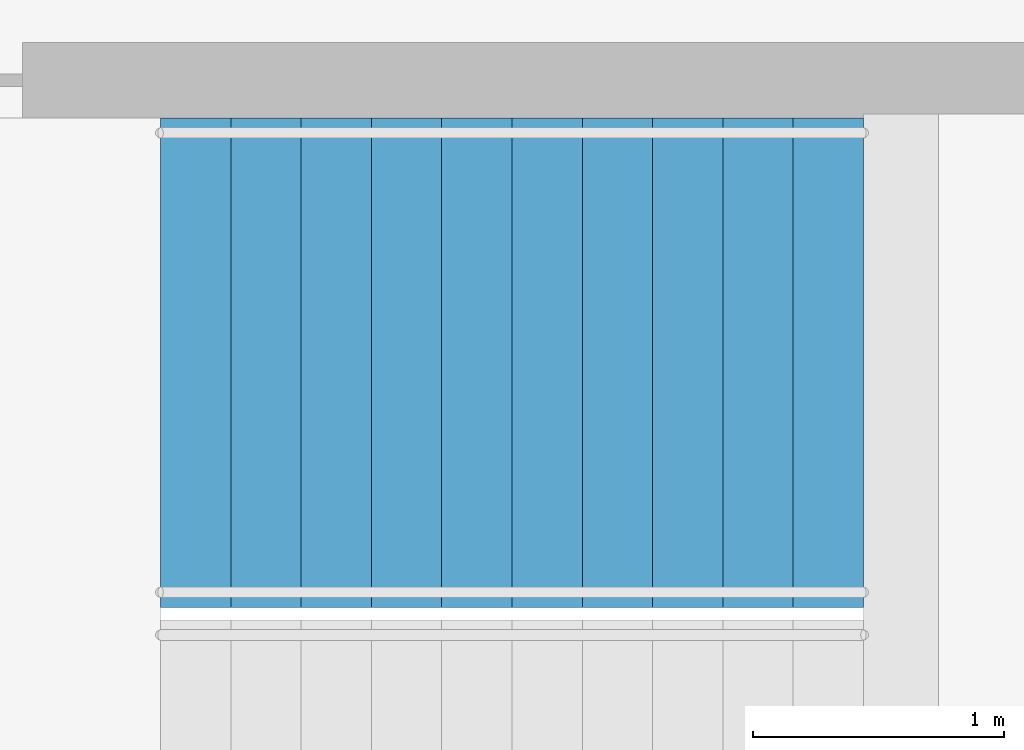
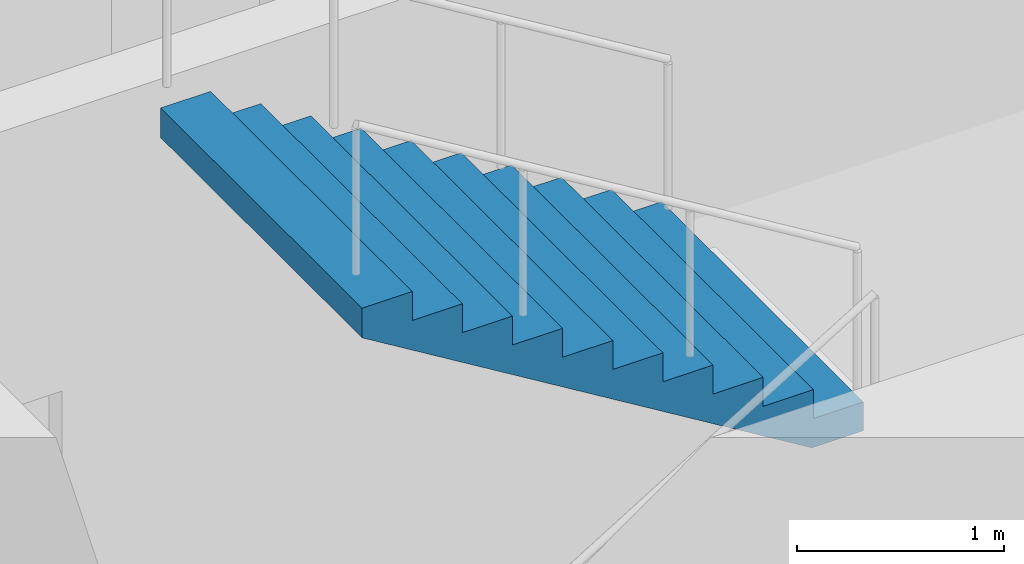
# One storey, part 20 of 23: 1 stair flight, 1 element without a shape of its own.
"""IFC4 building model written with IfcOpenShell, lengths in metres."""

from ifc_helpers import new_model, si_unit, direction, frame, origin, place, context, subcontext, project, spatial, triangles, material, type_object, element, aggregate, save


model = new_model("IFC4")

# Units and contexts
model_context = context("Model", 3, precision=1e-05, world=origin(), true_north=direction((0.0, 1.0)))
body_context = subcontext(model_context, "Body", "Model", "MODEL_VIEW")
ifc_project = project(units=[si_unit("LENGTHUNIT", "METRE"), si_unit("AREAUNIT", "SQUARE_METRE"), si_unit("VOLUMEUNIT", "CUBIC_METRE"), si_unit("PLANEANGLEUNIT", "RADIAN"), si_unit("MASSUNIT", "GRAM", prefix="KILO")], contexts=[model_context])

# Site, building, storey
site_placement = place(None, origin())
site = spatial("IfcSite", under=ifc_project, at=site_placement, CompositionType="ELEMENT")
building_placement = place(site_placement, origin())
building = spatial("IfcBuilding", under=site, at=building_placement, Name="Orbita Commons", CompositionType="ELEMENT")
storey_placement = place(building_placement, frame((0.0, 0.0, 50.199951171875)))
storey = spatial("IfcBuildingStorey", under=building, at=storey_placement, Name="L12", CompositionType="ELEMENT", Elevation=50.199951171875)

# Stair, stair flight
ifc_material_1 = material(Name="Precast concrete C40/50", Category="concrete")
stair_type = type_object("IfcStairType", Name="Exit stair S1 2 flights 11 risers 170", PredefinedType="HALF_TURN_STAIR", material=ifc_material_1)
stair_placement = place(storey_placement, origin())
stair = element("IfcStair", 1, at=stair_placement, inside=storey, type_object=stair_type, Name="Exit stair S1 L12", PredefinedType="HALF_TURN_STAIR")
ifc_material_2 = material(Name="Precast concrete C40/50", Category="concrete")
stair_flight_type = type_object("IfcStairFlightType", Name="Stair flight 11 risers 170 x 280", PredefinedType="STRAIGHT", material=ifc_material_2)
stair_flight_placement = place(storey_placement, frame((23.25, 29.27490234375, 1.875), z_axis=(0.0, 0.0, 1.0), x_axis=(-1.0, 0.0, 0.0)))
stair_flight = element("IfcStairFlight", 2, at=stair_flight_placement, type_object=stair_flight_type, Name="S1 flight 2", NumberOfRisers=11, NumberOfTreads=10, PredefinedType="STRAIGHT", RiserHeight=0.170454545, TreadLength=0.28, context=body_context, shape_type="Tessellation", body=[
    triangles([(0.0, 0.974976, 0.0), (0.0, 0.974976, 0.021307), (0.0, 0.81248, 0.021307), (0.0, 0.81248, 0.0), (0.0, 0.649984, 0.021307), (0.0, 0.649984, 0.0), (0.0, 0.487488, 0.021307), (0.0, 0.487488, 0.0), (0.0, 0.324992, 0.021307), (0.0, 0.324992, 0.0), (0.0, 0.162496, 0.021307), (0.0, 0.162496, 0.0), (0.0, 0.0, 0.021307), (0.0, 0.0, 0.0), (0.0, -0.162496, 0.021307), (0.0, -0.162496, 0.0), (0.0, -0.324992, 0.021307), (0.0, -0.324992, 0.0), (0.0, -0.487488, 0.021307), (0.0, -0.487488, 0.0), (0.0, -0.649984, 0.021307), (0.0, -0.649984, 0.0), (0.0, -0.81248, 0.021307), (0.0, -0.81248, 0.0), (0.0, -0.974976, 0.021307), (0.0, -0.974976, 0.0), (0.0, 0.974976, 0.042614), (0.0, 0.81248, 0.042614), (0.0, 0.649984, 0.042614), (0.0, 0.487488, 0.042614), (0.0, 0.324992, 0.042614), (0.0, 0.162496, 0.042614), (0.0, 0.0, 0.042614), (0.0, -0.162496, 0.042614), (0.0, -0.324992, 0.042614), (0.0, -0.487488, 0.042614), (0.0, -0.649984, 0.042614), (0.0, -0.81248, 0.042614), (0.0, -0.974976, 0.042614), (0.0, 0.974976, 0.06392), (0.0, 0.81248, 0.06392), (0.0, 0.649984, 0.06392), (0.0, 0.487488, 0.06392), (0.0, 0.324992, 0.06392), (0.0, 0.162496, 0.06392), (0.0, 0.0, 0.06392), (0.0, -0.162496, 0.06392), (0.0, -0.324992, 0.06392), (0.0, -0.487488, 0.06392), (0.0, -0.649984, 0.06392), (0.0, -0.81248, 0.06392), (0.0, -0.974976, 0.06392), (0.0, 0.974976, 0.085227), (0.0, 0.81248, 0.085227), (0.0, 0.649984, 0.085227), (0.0, 0.487488, 0.085227), (0.0, 0.324992, 0.085227), (0.0, 0.162496, 0.085227), (0.0, 0.0, 0.085227), (0.0, -0.162496, 0.085227), (0.0, -0.324992, 0.085227), (0.0, -0.487488, 0.085227), (0.0, -0.649984, 0.085227), (0.0, -0.81248, 0.085227), (0.0, -0.974976, 0.085227), (0.0, 0.974976, 0.106534), (0.0, 0.81248, 0.106534), (0.0, 0.649984, 0.106534), (0.0, 0.487488, 0.106534), (0.0, 0.324992, 0.106534), (0.0, 0.162496, 0.106534), (0.0, 0.0, 0.106534), (0.0, -0.162496, 0.106534), (0.0, -0.324992, 0.106534), (0.0, -0.487488, 0.106534), (0.0, -0.649984, 0.106534), (0.0, -0.81248, 0.106534), (0.0, -0.974976, 0.106534), (0.0, 0.974976, 0.127841), (0.0, 0.81248, 0.127841), (0.0, 0.649984, 0.127841), (0.0, 0.487488, 0.127841), (0.0, 0.324992, 0.127841), (0.0, 0.162496, 0.127841), (0.0, 0.0, 0.127841), (0.0, -0.162496, 0.127841), (0.0, -0.324992, 0.127841), (0.0, -0.487488, 0.127841), (0.0, -0.649984, 0.127841), (0.0, -0.81248, 0.127841), (0.0, -0.974976, 0.127841), (0.0, 0.974976, 0.149148), (0.0, 0.81248, 0.149148), (0.0, 0.649984, 0.149148), (0.0, 0.487488, 0.149148), (0.0, 0.324992, 0.149148), (0.0, 0.162496, 0.149148), (0.0, 0.0, 0.149148), (0.0, -0.162496, 0.149148), (0.0, -0.324992, 0.149148), (0.0, -0.487488, 0.149148), (0.0, -0.649984, 0.149148), (0.0, -0.81248, 0.149148), (0.0, -0.974976, 0.149148), (0.0, 0.974976, 0.170455), (0.0, 0.81248, 0.170455), (0.0, 0.649984, 0.170455), (0.0, 0.487488, 0.170455), (0.0, 0.324992, 0.170455), (0.0, 0.162496, 0.170455), (0.0, 0.0, 0.170455), (0.0, -0.162496, 0.170455), (0.0, -0.324992, 0.170455), (0.0, -0.487488, 0.170455), (0.0, -0.649984, 0.170455), (0.0, -0.81248, 0.170455), (0.0, -0.974976, 0.170455), (0.28, 0.974976, 0.170455), (0.28, 0.81248, 0.170455), (0.28, 0.649984, 0.170455), (0.28, 0.487488, 0.170455), (0.28, 0.324992, 0.170455), (0.28, 0.162496, 0.170455), (0.28, 0.0, 0.170455), (0.28, -0.162496, 0.170455), (0.28, -0.324992, 0.170455), (0.28, -0.487488, 0.170455), (0.28, -0.649984, 0.170455), (0.28, -0.81248, 0.170455), (0.28, -0.974976, 0.170455), (0.28, 0.974976, 0.340909), (0.28, 0.81248, 0.340909), (0.28, 0.649984, 0.340909), (0.28, 0.487488, 0.340909), (0.28, 0.324992, 0.340909), (0.28, 0.162496, 0.340909), (0.28, 0.0, 0.340909), (0.28, -0.162496, 0.340909), (0.28, -0.324992, 0.340909), (0.28, -0.487488, 0.340909), (0.28, -0.649984, 0.340909), (0.28, -0.81248, 0.340909), (0.28, -0.974976, 0.340909), (0.56, 0.974976, 0.340909), (0.56, 0.81248, 0.340909), (0.56, 0.649984, 0.340909), (0.56, 0.487488, 0.340909), (0.56, 0.324992, 0.340909), (0.56, 0.162496, 0.340909), (0.56, 0.0, 0.340909), (0.56, -0.162496, 0.340909), (0.56, -0.324992, 0.340909), (0.56, -0.487488, 0.340909), (0.56, -0.649984, 0.340909), (0.56, -0.81248, 0.340909), (0.56, -0.974976, 0.340909), (0.56, 0.974976, 0.511364), (0.56, 0.81248, 0.511364), (0.56, 0.649984, 0.511364), (0.56, 0.487488, 0.511364), (0.56, 0.324992, 0.511364), (0.56, 0.162496, 0.511364), (0.56, 0.0, 0.511364), (0.56, -0.162496, 0.511364), (0.56, -0.324992, 0.511364), (0.56, -0.487488, 0.511364), (0.56, -0.649984, 0.511364), (0.56, -0.81248, 0.511364), (0.56, -0.974976, 0.511364), (0.84, 0.974976, 0.511364), (0.84, 0.81248, 0.511364), (0.84, 0.649984, 0.511364), (0.84, 0.487488, 0.511364), (0.84, 0.324992, 0.511364), (0.84, 0.162496, 0.511364), (0.84, 0.0, 0.511364), (0.84, -0.162496, 0.511364), (0.84, -0.324992, 0.511364), (0.84, -0.487488, 0.511364), (0.84, -0.649984, 0.511364), (0.84, -0.81248, 0.511364), (0.84, -0.974976, 0.511364), (0.84, 0.974976, 0.681818), (0.84, 0.81248, 0.681818), (0.84, 0.649984, 0.681818), (0.84, 0.487488, 0.681818), (0.84, 0.324992, 0.681818), (0.84, 0.162496, 0.681818), (0.84, 0.0, 0.681818), (0.84, -0.162496, 0.681818), (0.84, -0.324992, 0.681818), (0.84, -0.487488, 0.681818), (0.84, -0.649984, 0.681818), (0.84, -0.81248, 0.681818), (0.84, -0.974976, 0.681818), (1.12, 0.974976, 0.681818), (1.12, 0.81248, 0.681818), (1.12, 0.649984, 0.681818), (1.12, 0.487488, 0.681818), (1.12, 0.324992, 0.681818), (1.12, 0.162496, 0.681818), (1.12, 0.0, 0.681818), (1.12, -0.162496, 0.681818), (1.12, -0.324992, 0.681818), (1.12, -0.487488, 0.681818), (1.12, -0.649984, 0.681818), (1.12, -0.81248, 0.681818), (1.12, -0.974976, 0.681818), (1.12, 0.974976, 0.852273), (1.12, 0.81248, 0.852273), (1.12, 0.649984, 0.852273), (1.12, 0.487488, 0.852273), (1.12, 0.324992, 0.852273), (1.12, 0.162496, 0.852273), (1.12, 0.0, 0.852273), (1.12, -0.162496, 0.852273), (1.12, -0.324992, 0.852273), (1.12, -0.487488, 0.852273), (1.12, -0.649984, 0.852273), (1.12, -0.81248, 0.852273), (1.12, -0.974976, 0.852273), (1.4, 0.974976, 0.852273), (1.4, 0.81248, 0.852273), (1.4, 0.649984, 0.852273), (1.4, 0.487488, 0.852273), (1.4, 0.324992, 0.852273), (1.4, 0.162496, 0.852273), (1.4, 0.0, 0.852273), (1.4, -0.162496, 0.852273), (1.4, -0.324992, 0.852273), (1.4, -0.487488, 0.852273), (1.4, -0.649984, 0.852273), (1.4, -0.81248, 0.852273), (1.4, -0.974976, 0.852273), (1.4, 0.974976, 1.022727), (1.4, 0.81248, 1.022727), (1.4, 0.649984, 1.022727), (1.4, 0.487488, 1.022727), (1.4, 0.324992, 1.022727), (1.4, 0.162496, 1.022727), (1.4, 0.0, 1.022727), (1.4, -0.162496, 1.022727), (1.4, -0.324992, 1.022727), (1.4, -0.487488, 1.022727), (1.4, -0.649984, 1.022727), (1.4, -0.81248, 1.022727), (1.4, -0.974976, 1.022727), (1.68, 0.974976, 1.022727), (1.68, 0.81248, 1.022727), (1.68, 0.649984, 1.022727), (1.68, 0.487488, 1.022727), (1.68, 0.324992, 1.022727), (1.68, 0.162496, 1.022727), (1.68, 0.0, 1.022727), (1.68, -0.162496, 1.022727), (1.68, -0.324992, 1.022727), (1.68, -0.487488, 1.022727), (1.68, -0.649984, 1.022727), (1.68, -0.81248, 1.022727), (1.68, -0.974976, 1.022727), (1.68, 0.974976, 1.193182), (1.68, 0.81248, 1.193182), (1.68, 0.649984, 1.193182), (1.68, 0.487488, 1.193182), (1.68, 0.324992, 1.193182), (1.68, 0.162496, 1.193182), (1.68, 0.0, 1.193182), (1.68, -0.162496, 1.193182), (1.68, -0.324992, 1.193182), (1.68, -0.487488, 1.193182), (1.68, -0.649984, 1.193182), (1.68, -0.81248, 1.193182), (1.68, -0.974976, 1.193182), (1.96, 0.974976, 1.193182), (1.96, 0.81248, 1.193182), (1.96, 0.649984, 1.193182), (1.96, 0.487488, 1.193182), (1.96, 0.324992, 1.193182), (1.96, 0.162496, 1.193182), (1.96, 0.0, 1.193182), (1.96, -0.162496, 1.193182), (1.96, -0.324992, 1.193182), (1.96, -0.487488, 1.193182), (1.96, -0.649984, 1.193182), (1.96, -0.81248, 1.193182), (1.96, -0.974976, 1.193182), (1.96, 0.974976, 1.363636), (1.96, 0.81248, 1.363636), (1.96, 0.649984, 1.363636), (1.96, 0.487488, 1.363636), (1.96, 0.324992, 1.363636), (1.96, 0.162496, 1.363636), (1.96, 0.0, 1.363636), (1.96, -0.162496, 1.363636), (1.96, -0.324992, 1.363636), (1.96, -0.487488, 1.363636), (1.96, -0.649984, 1.363636), (1.96, -0.81248, 1.363636), (1.96, -0.974976, 1.363636), (2.24, 0.974976, 1.363636), (2.24, 0.81248, 1.363636), (2.24, 0.649984, 1.363636), (2.24, 0.487488, 1.363636), (2.24, 0.324992, 1.363636), (2.24, 0.162496, 1.363636), (2.24, 0.0, 1.363636), (2.24, -0.162496, 1.363636), (2.24, -0.324992, 1.363636), (2.24, -0.487488, 1.363636), (2.24, -0.649984, 1.363636), (2.24, -0.81248, 1.363636), (2.24, -0.974976, 1.363636), (2.24, 0.974976, 1.534091), (2.24, 0.81248, 1.534091), (2.24, 0.649984, 1.534091), (2.24, 0.487488, 1.534091), (2.24, 0.324992, 1.534091), (2.24, 0.162496, 1.534091), (2.24, 0.0, 1.534091), (2.24, -0.162496, 1.534091), (2.24, -0.324992, 1.534091), (2.24, -0.487488, 1.534091), (2.24, -0.649984, 1.534091), (2.24, -0.81248, 1.534091), (2.24, -0.974976, 1.534091), (2.52, 0.974976, 1.534091), (2.52, 0.81248, 1.534091), (2.52, 0.649984, 1.534091), (2.52, 0.487488, 1.534091), (2.52, 0.324992, 1.534091), (2.52, 0.162496, 1.534091), (2.52, 0.0, 1.534091), (2.52, -0.162496, 1.534091), (2.52, -0.324992, 1.534091), (2.52, -0.487488, 1.534091), (2.52, -0.649984, 1.534091), (2.52, -0.81248, 1.534091), (2.52, -0.974976, 1.534091), (2.52, 0.974976, 1.704545), (2.52, 0.81248, 1.704545), (2.52, 0.649984, 1.704545), (2.52, 0.487488, 1.704545), (2.52, 0.324992, 1.704545), (2.52, 0.162496, 1.704545), (2.52, 0.0, 1.704545), (2.52, -0.162496, 1.704545), (2.52, -0.324992, 1.704545), (2.52, -0.487488, 1.704545), (2.52, -0.649984, 1.704545), (2.52, -0.81248, 1.704545), (2.52, -0.974976, 1.704545), (2.8, 0.974976, 1.704545), (2.8, 0.81248, 1.704545), (2.8, 0.649984, 1.704545), (2.8, 0.487488, 1.704545), (2.8, 0.324992, 1.704545), (2.8, 0.162496, 1.704545), (2.8, 0.0, 1.704545), (2.8, -0.162496, 1.704545), (2.8, -0.324992, 1.704545), (2.8, -0.487488, 1.704545), (2.8, -0.649984, 1.704545), (2.8, -0.81248, 1.704545), (2.8, -0.974976, 1.704545), (2.8, 0.974976, 1.682609), (2.8, 0.81248, 1.682609), (2.8, 0.649984, 1.682609), (2.8, 0.487488, 1.682609), (2.8, 0.324992, 1.682609), (2.8, 0.162496, 1.682609), (2.8, 0.0, 1.682609), (2.8, -0.162496, 1.682609), (2.8, -0.324992, 1.682609), (2.8, -0.487488, 1.682609), (2.8, -0.649984, 1.682609), (2.8, -0.81248, 1.682609), (2.8, -0.974976, 1.682609), (2.8, 0.974976, 1.660672), (2.8, 0.81248, 1.660672), (2.8, 0.649984, 1.660672), (2.8, 0.487488, 1.660672), (2.8, 0.324992, 1.660672), (2.8, 0.162496, 1.660672), (2.8, 0.0, 1.660672), (2.8, -0.162496, 1.660672), (2.8, -0.324992, 1.660672), (2.8, -0.487488, 1.660672), (2.8, -0.649984, 1.660672), (2.8, -0.81248, 1.660672), (2.8, -0.974976, 1.660672), (2.8, 0.974976, 1.638735), (2.8, 0.81248, 1.638735), (2.8, 0.649984, 1.638735), (2.8, 0.487488, 1.638735), (2.8, 0.324992, 1.638735), (2.8, 0.162496, 1.638735), (2.8, 0.0, 1.638735), (2.8, -0.162496, 1.638735), (2.8, -0.324992, 1.638735), (2.8, -0.487488, 1.638735), (2.8, -0.649984, 1.638735), (2.8, -0.81248, 1.638735), (2.8, -0.974976, 1.638735), (2.8, 0.974976, 1.616798), (2.8, 0.81248, 1.616798), (2.8, 0.649984, 1.616798), (2.8, 0.487488, 1.616798), (2.8, 0.324992, 1.616798), (2.8, 0.162496, 1.616798), (2.8, 0.0, 1.616798), (2.8, -0.162496, 1.616798), (2.8, -0.324992, 1.616798), (2.8, -0.487488, 1.616798), (2.8, -0.649984, 1.616798), (2.8, -0.81248, 1.616798), (2.8, -0.974976, 1.616798), (2.8, 0.974976, 1.594861), (2.8, 0.81248, 1.594861), (2.8, 0.649984, 1.594861), (2.8, 0.487488, 1.594861), (2.8, 0.324992, 1.594861), (2.8, 0.162496, 1.594861), (2.8, 0.0, 1.594861), (2.8, -0.162496, 1.594861), (2.8, -0.324992, 1.594861), (2.8, -0.487488, 1.594861), (2.8, -0.649984, 1.594861), (2.8, -0.81248, 1.594861), (2.8, -0.974976, 1.594861), (2.8, 0.974976, 1.572925), (2.8, 0.81248, 1.572925), (2.8, 0.649984, 1.572925), (2.8, 0.487488, 1.572925), (2.8, 0.324992, 1.572925), (2.8, 0.162496, 1.572925), (2.8, 0.0, 1.572925), (2.8, -0.162496, 1.572925), (2.8, -0.324992, 1.572925), (2.8, -0.487488, 1.572925), (2.8, -0.649984, 1.572925), (2.8, -0.81248, 1.572925), (2.8, -0.974976, 1.572925), (2.8, 0.974976, 1.550988), (2.8, 0.81248, 1.550988), (2.8, 0.649984, 1.550988), (2.8, 0.487488, 1.550988), (2.8, 0.324992, 1.550988), (2.8, 0.162496, 1.550988), (2.8, 0.0, 1.550988), (2.8, -0.162496, 1.550988), (2.8, -0.324992, 1.550988), (2.8, -0.487488, 1.550988), (2.8, -0.649984, 1.550988), (2.8, -0.81248, 1.550988), (2.8, -0.974976, 1.550988), (2.8, 0.974976, 1.529051), (2.8, 0.81248, 1.529051), (2.8, 0.649984, 1.529051), (2.8, 0.487488, 1.529051), (2.8, 0.324992, 1.529051), (2.8, 0.162496, 1.529051), (2.8, 0.0, 1.529051), (2.8, -0.162496, 1.529051), (2.8, -0.324992, 1.529051), (2.8, -0.487488, 1.529051), (2.8, -0.649984, 1.529051), (2.8, -0.81248, 1.529051), (2.8, -0.974976, 1.529051), (0.288279, 0.974976, 0.0), (0.288279, 0.81248, 0.0), (0.288279, 0.649984, 0.0), (0.288279, 0.487488, 0.0), (0.288279, 0.324992, 0.0), (0.288279, 0.162496, 0.0), (0.288279, 0.0, 0.0), (0.288279, -0.162496, 0.0), (0.288279, -0.324992, 0.0), (0.288279, -0.487488, 0.0), (0.288279, -0.649984, 0.0), (0.288279, -0.81248, 0.0), (0.288279, -0.974976, 0.0)], [[3, 2, 1], [4, 3, 1], [5, 3, 4], [6, 5, 4], [7, 5, 6], [8, 7, 6], [9, 7, 8], [10, 9, 8], [11, 9, 10], [12, 11, 10], [13, 11, 12], [14, 13, 12], [15, 13, 14], [16, 15, 14], [17, 15, 16], [18, 17, 16], [19, 17, 18], [20, 19, 18], [21, 19, 20], [22, 21, 20], [23, 21, 22], [24, 23, 22], [25, 23, 24], [26, 25, 24], [28, 27, 2], [3, 28, 2], [29, 28, 3], [5, 29, 3], [30, 29, 5], [7, 30, 5], [31, 30, 7], [9, 31, 7], [32, 31, 9], [11, 32, 9], [33, 32, 11], [13, 33, 11], [34, 33, 13], [15, 34, 13], [35, 34, 15], [17, 35, 15], [36, 35, 17], [19, 36, 17], [37, 36, 19], [21, 37, 19], [38, 37, 21], [23, 38, 21], [39, 38, 23], [25, 39, 23], [41, 40, 27], [28, 41, 27], [42, 41, 28], [29, 42, 28], [43, 42, 29], [30, 43, 29], [44, 43, 30], [31, 44, 30], [45, 44, 31], [32, 45, 31], [46, 45, 32], [33, 46, 32], [47, 46, 33], [34, 47, 33], [48, 47, 34], [35, 48, 34], [49, 48, 35], [36, 49, 35], [50, 49, 36], [37, 50, 36], [51, 50, 37], [38, 51, 37], [52, 51, 38], [39, 52, 38], [54, 53, 40], [41, 54, 40], [55, 54, 41], [42, 55, 41], [56, 55, 42], [43, 56, 42], [57, 56, 43], [44, 57, 43], [58, 57, 44], [45, 58, 44], [59, 58, 45], [46, 59, 45], [60, 59, 46], [47, 60, 46], [61, 60, 47], [48, 61, 47], [62, 61, 48], [49, 62, 48], [63, 62, 49], [50, 63, 49], [64, 63, 50], [51, 64, 50], [65, 64, 51], [52, 65, 51], [67, 66, 53], [54, 67, 53], [68, 67, 54], [55, 68, 54], [69, 68, 55], [56, 69, 55], [70, 69, 56], [57, 70, 56], [71, 70, 57], [58, 71, 57], [72, 71, 58], [59, 72, 58], [73, 72, 59], [60, 73, 59], [74, 73, 60], [61, 74, 60], [75, 74, 61], [62, 75, 61], [76, 75, 62], [63, 76, 62], [77, 76, 63], [64, 77, 63], [78, 77, 64], [65, 78, 64], [80, 79, 66], [67, 80, 66], [81, 80, 67], [68, 81, 67], [82, 81, 68], [69, 82, 68], [83, 82, 69], [70, 83, 69], [84, 83, 70], [71, 84, 70], [85, 84, 71], [72, 85, 71], [86, 85, 72], [73, 86, 72], [87, 86, 73], [74, 87, 73], [88, 87, 74], [75, 88, 74], [89, 88, 75], [76, 89, 75], [90, 89, 76], [77, 90, 76], [91, 90, 77], [78, 91, 77], [93, 92, 79], [80, 93, 79], [94, 93, 80], [81, 94, 80], [95, 94, 81], [82, 95, 81], [96, 95, 82], [83, 96, 82], [97, 96, 83], [84, 97, 83], [98, 97, 84], [85, 98, 84], [99, 98, 85], [86, 99, 85], [100, 99, 86], [87, 100, 86], [101, 100, 87], [88, 101, 87], [102, 101, 88], [89, 102, 88], [103, 102, 89], [90, 103, 89], [104, 103, 90], [91, 104, 90], [106, 105, 92], [93, 106, 92], [107, 106, 93], [94, 107, 93], [108, 107, 94], [95, 108, 94], [109, 108, 95], [96, 109, 95], [110, 109, 96], [97, 110, 96], [111, 110, 97], [98, 111, 97], [112, 111, 98], [99, 112, 98], [113, 112, 99], [100, 113, 99], [114, 113, 100], [101, 114, 100], [115, 114, 101], [102, 115, 101], [116, 115, 102], [103, 116, 102], [117, 116, 103], [104, 117, 103], [119, 118, 105], [106, 119, 105], [120, 119, 106], [107, 120, 106], [121, 120, 107], [108, 121, 107], [122, 121, 108], [109, 122, 108], [123, 122, 109], [110, 123, 109], [124, 123, 110], [111, 124, 110], [125, 124, 111], [112, 125, 111], [126, 125, 112], [113, 126, 112], [127, 126, 113], [114, 127, 113], [128, 127, 114], [115, 128, 114], [129, 128, 115], [116, 129, 115], [130, 129, 116], [117, 130, 116], [132, 131, 118], [119, 132, 118], [133, 132, 119], [120, 133, 119], [134, 133, 120], [121, 134, 120], [135, 134, 121], [122, 135, 121], [136, 135, 122], [123, 136, 122], [137, 136, 123], [124, 137, 123], [138, 137, 124], [125, 138, 124], [139, 138, 125], [126, 139, 125], [140, 139, 126], [127, 140, 126], [141, 140, 127], [128, 141, 127], [142, 141, 128], [129, 142, 128], [143, 142, 129], [130, 143, 129], [145, 144, 131], [132, 145, 131], [146, 145, 132], [133, 146, 132], [147, 146, 133], [134, 147, 133], [148, 147, 134], [135, 148, 134], [149, 148, 135], [136, 149, 135], [150, 149, 136], [137, 150, 136], [151, 150, 137], [138, 151, 137], [152, 151, 138], [139, 152, 138], [153, 152, 139], [140, 153, 139], [154, 153, 140], [141, 154, 140], [155, 154, 141], [142, 155, 141], [156, 155, 142], [143, 156, 142], [158, 157, 144], [145, 158, 144], [159, 158, 145], [146, 159, 145], [160, 159, 146], [147, 160, 146], [161, 160, 147], [148, 161, 147], [162, 161, 148], [149, 162, 148], [163, 162, 149], [150, 163, 149], [164, 163, 150], [151, 164, 150], [165, 164, 151], [152, 165, 151], [166, 165, 152], [153, 166, 152], [167, 166, 153], [154, 167, 153], [168, 167, 154], [155, 168, 154], [169, 168, 155], [156, 169, 155], [171, 170, 157], [158, 171, 157], [172, 171, 158], [159, 172, 158], [173, 172, 159], [160, 173, 159], [174, 173, 160], [161, 174, 160], [175, 174, 161], [162, 175, 161], [176, 175, 162], [163, 176, 162], [177, 176, 163], [164, 177, 163], [178, 177, 164], [165, 178, 164], [179, 178, 165], [166, 179, 165], [180, 179, 166], [167, 180, 166], [181, 180, 167], [168, 181, 167], [182, 181, 168], [169, 182, 168], [184, 183, 170], [171, 184, 170], [185, 184, 171], [172, 185, 171], [186, 185, 172], [173, 186, 172], [187, 186, 173], [174, 187, 173], [188, 187, 174], [175, 188, 174], [189, 188, 175], [176, 189, 175], [190, 189, 176], [177, 190, 176], [191, 190, 177], [178, 191, 177], [192, 191, 178], [179, 192, 178], [193, 192, 179], [180, 193, 179], [194, 193, 180], [181, 194, 180], [195, 194, 181], [182, 195, 181], [197, 196, 183], [184, 197, 183], [198, 197, 184], [185, 198, 184], [199, 198, 185], [186, 199, 185], [200, 199, 186], [187, 200, 186], [201, 200, 187], [188, 201, 187], [202, 201, 188], [189, 202, 188], [203, 202, 189], [190, 203, 189], [204, 203, 190], [191, 204, 190], [205, 204, 191], [192, 205, 191], [206, 205, 192], [193, 206, 192], [207, 206, 193], [194, 207, 193], [208, 207, 194], [195, 208, 194], [210, 209, 196], [197, 210, 196], [211, 210, 197], [198, 211, 197], [212, 211, 198], [199, 212, 198], [213, 212, 199], [200, 213, 199], [214, 213, 200], [201, 214, 200], [215, 214, 201], [202, 215, 201], [216, 215, 202], [203, 216, 202], [217, 216, 203], [204, 217, 203], [218, 217, 204], [205, 218, 204], [219, 218, 205], [206, 219, 205], [220, 219, 206], [207, 220, 206], [221, 220, 207], [208, 221, 207], [223, 222, 209], [210, 223, 209], [224, 223, 210], [211, 224, 210], [225, 224, 211], [212, 225, 211], [226, 225, 212], [213, 226, 212], [227, 226, 213], [214, 227, 213], [228, 227, 214], [215, 228, 214], [229, 228, 215], [216, 229, 215], [230, 229, 216], [217, 230, 216], [231, 230, 217], [218, 231, 217], [232, 231, 218], [219, 232, 218], [233, 232, 219], [220, 233, 219], [234, 233, 220], [221, 234, 220], [236, 235, 222], [223, 236, 222], [237, 236, 223], [224, 237, 223], [238, 237, 224], [225, 238, 224], [239, 238, 225], [226, 239, 225], [240, 239, 226], [227, 240, 226], [241, 240, 227], [228, 241, 227], [242, 241, 228], [229, 242, 228], [243, 242, 229], [230, 243, 229], [244, 243, 230], [231, 244, 230], [245, 244, 231], [232, 245, 231], [246, 245, 232], [233, 246, 232], [247, 246, 233], [234, 247, 233], [249, 248, 235], [236, 249, 235], [250, 249, 236], [237, 250, 236], [251, 250, 237], [238, 251, 237], [252, 251, 238], [239, 252, 238], [253, 252, 239], [240, 253, 239], [254, 253, 240], [241, 254, 240], [255, 254, 241], [242, 255, 241], [256, 255, 242], [243, 256, 242], [257, 256, 243], [244, 257, 243], [258, 257, 244], [245, 258, 244], [259, 258, 245], [246, 259, 245], [260, 259, 246], [247, 260, 246], [262, 261, 248], [249, 262, 248], [263, 262, 249], [250, 263, 249], [264, 263, 250], [251, 264, 250], [265, 264, 251], [252, 265, 251], [266, 265, 252], [253, 266, 252], [267, 266, 253], [254, 267, 253], [268, 267, 254], [255, 268, 254], [269, 268, 255], [256, 269, 255], [270, 269, 256], [257, 270, 256], [271, 270, 257], [258, 271, 257], [272, 271, 258], [259, 272, 258], [273, 272, 259], [260, 273, 259], [275, 274, 261], [262, 275, 261], [276, 275, 262], [263, 276, 262], [277, 276, 263], [264, 277, 263], [278, 277, 264], [265, 278, 264], [279, 278, 265], [266, 279, 265], [280, 279, 266], [267, 280, 266], [281, 280, 267], [268, 281, 267], [282, 281, 268], [269, 282, 268], [283, 282, 269], [270, 283, 269], [284, 283, 270], [271, 284, 270], [285, 284, 271], [272, 285, 271], [286, 285, 272], [273, 286, 272], [288, 287, 274], [275, 288, 274], [289, 288, 275], [276, 289, 275], [290, 289, 276], [277, 290, 276], [291, 290, 277], [278, 291, 277], [292, 291, 278], [279, 292, 278], [293, 292, 279], [280, 293, 279], [294, 293, 280], [281, 294, 280], [295, 294, 281], [282, 295, 281], [296, 295, 282], [283, 296, 282], [297, 296, 283], [284, 297, 283], [298, 297, 284], [285, 298, 284], [299, 298, 285], [286, 299, 285], [301, 300, 287], [288, 301, 287], [302, 301, 288], [289, 302, 288], [303, 302, 289], [290, 303, 289], [304, 303, 290], [291, 304, 290], [305, 304, 291], [292, 305, 291], [306, 305, 292], [293, 306, 292], [307, 306, 293], [294, 307, 293], [308, 307, 294], [295, 308, 294], [309, 308, 295], [296, 309, 295], [310, 309, 296], [297, 310, 296], [311, 310, 297], [298, 311, 297], [312, 311, 298], [299, 312, 298], [314, 313, 300], [301, 314, 300], [315, 314, 301], [302, 315, 301], [316, 315, 302], [303, 316, 302], [317, 316, 303], [304, 317, 303], [318, 317, 304], [305, 318, 304], [319, 318, 305], [306, 319, 305], [320, 319, 306], [307, 320, 306], [321, 320, 307], [308, 321, 307], [322, 321, 308], [309, 322, 308], [323, 322, 309], [310, 323, 309], [324, 323, 310], [311, 324, 310], [325, 324, 311], [312, 325, 311], [327, 326, 313], [314, 327, 313], [328, 327, 314], [315, 328, 314], [329, 328, 315], [316, 329, 315], [330, 329, 316], [317, 330, 316], [331, 330, 317], [318, 331, 317], [332, 331, 318], [319, 332, 318], [333, 332, 319], [320, 333, 319], [334, 333, 320], [321, 334, 320], [335, 334, 321], [322, 335, 321], [336, 335, 322], [323, 336, 322], [337, 336, 323], [324, 337, 323], [338, 337, 324], [325, 338, 324], [340, 339, 326], [327, 340, 326], [341, 340, 327], [328, 341, 327], [342, 341, 328], [329, 342, 328], [343, 342, 329], [330, 343, 329], [344, 343, 330], [331, 344, 330], [345, 344, 331], [332, 345, 331], [346, 345, 332], [333, 346, 332], [347, 346, 333], [334, 347, 333], [348, 347, 334], [335, 348, 334], [349, 348, 335], [336, 349, 335], [350, 349, 336], [337, 350, 336], [351, 350, 337], [338, 351, 337], [353, 352, 339], [340, 353, 339], [354, 353, 340], [341, 354, 340], [355, 354, 341], [342, 355, 341], [356, 355, 342], [343, 356, 342], [357, 356, 343], [344, 357, 343], [358, 357, 344], [345, 358, 344], [359, 358, 345], [346, 359, 345], [360, 359, 346], [347, 360, 346], [361, 360, 347], [348, 361, 347], [362, 361, 348], [349, 362, 348], [363, 362, 349], [350, 363, 349], [364, 363, 350], [351, 364, 350], [366, 365, 352], [353, 366, 352], [367, 366, 353], [354, 367, 353], [368, 367, 354], [355, 368, 354], [369, 368, 355], [356, 369, 355], [370, 369, 356], [357, 370, 356], [371, 370, 357], [358, 371, 357], [372, 371, 358], [359, 372, 358], [373, 372, 359], [360, 373, 359], [374, 373, 360], [361, 374, 360], [375, 374, 361], [362, 375, 361], [376, 375, 362], [363, 376, 362], [377, 376, 363], [364, 377, 363], [379, 378, 365], [366, 379, 365], [380, 379, 366], [367, 380, 366], [381, 380, 367], [368, 381, 367], [382, 381, 368], [369, 382, 368], [383, 382, 369], [370, 383, 369], [384, 383, 370], [371, 384, 370], [385, 384, 371], [372, 385, 371], [386, 385, 372], [373, 386, 372], [387, 386, 373], [374, 387, 373], [388, 387, 374], [375, 388, 374], [389, 388, 375], [376, 389, 375], [390, 389, 376], [377, 390, 376], [392, 391, 378], [379, 392, 378], [393, 392, 379], [380, 393, 379], [394, 393, 380], [381, 394, 380], [395, 394, 381], [382, 395, 381], [396, 395, 382], [383, 396, 382], [397, 396, 383], [384, 397, 383], [398, 397, 384], [385, 398, 384], [399, 398, 385], [386, 399, 385], [400, 399, 386], [387, 400, 386], [401, 400, 387], [388, 401, 387], [402, 401, 388], [389, 402, 388], [403, 402, 389], [390, 403, 389], [405, 404, 391], [392, 405, 391], [406, 405, 392], [393, 406, 392], [407, 406, 393], [394, 407, 393], [408, 407, 394], [395, 408, 394], [409, 408, 395], [396, 409, 395], [410, 409, 396], [397, 410, 396], [411, 410, 397], [398, 411, 397], [412, 411, 398], [399, 412, 398], [413, 412, 399], [400, 413, 399], [414, 413, 400], [401, 414, 400], [415, 414, 401], [402, 415, 401], [416, 415, 402], [403, 416, 402], [418, 417, 404], [405, 418, 404], [419, 418, 405], [406, 419, 405], [420, 419, 406], [407, 420, 406], [421, 420, 407], [408, 421, 407], [422, 421, 408], [409, 422, 408], [423, 422, 409], [410, 423, 409], [424, 423, 410], [411, 424, 410], [425, 424, 411], [412, 425, 411], [426, 425, 412], [413, 426, 412], [427, 426, 413], [414, 427, 413], [428, 427, 414], [415, 428, 414], [429, 428, 415], [416, 429, 415], [431, 430, 417], [418, 431, 417], [432, 431, 418], [419, 432, 418], [433, 432, 419], [420, 433, 419], [434, 433, 420], [421, 434, 420], [435, 434, 421], [422, 435, 421], [436, 435, 422], [423, 436, 422], [437, 436, 423], [424, 437, 423], [438, 437, 424], [425, 438, 424], [439, 438, 425], [426, 439, 425], [440, 439, 426], [427, 440, 426], [441, 440, 427], [428, 441, 427], [442, 441, 428], [429, 442, 428], [444, 443, 430], [431, 444, 430], [445, 444, 431], [432, 445, 431], [446, 445, 432], [433, 446, 432], [447, 446, 433], [434, 447, 433], [448, 447, 434], [435, 448, 434], [449, 448, 435], [436, 449, 435], [450, 449, 436], [437, 450, 436], [451, 450, 437], [438, 451, 437], [452, 451, 438], [439, 452, 438], [453, 452, 439], [440, 453, 439], [454, 453, 440], [441, 454, 440], [455, 454, 441], [442, 455, 441], [457, 456, 443], [444, 457, 443], [458, 457, 444], [445, 458, 444], [459, 458, 445], [446, 459, 445], [460, 459, 446], [447, 460, 446], [461, 460, 447], [448, 461, 447], [462, 461, 448], [449, 462, 448], [463, 462, 449], [450, 463, 449], [464, 463, 450], [451, 464, 450], [465, 464, 451], [452, 465, 451], [466, 465, 452], [453, 466, 452], [467, 466, 453], [454, 467, 453], [468, 467, 454], [455, 468, 454], [470, 469, 456], [457, 470, 456], [471, 470, 457], [458, 471, 457], [472, 471, 458], [459, 472, 458], [473, 472, 459], [460, 473, 459], [474, 473, 460], [461, 474, 460], [475, 474, 461], [462, 475, 461], [476, 475, 462], [463, 476, 462], [477, 476, 463], [464, 477, 463], [478, 477, 464], [465, 478, 464], [479, 478, 465], [466, 479, 465], [480, 479, 466], [467, 480, 466], [481, 480, 467], [468, 481, 467], [4, 1, 469], [470, 4, 469], [6, 4, 470], [471, 6, 470], [8, 6, 471], [472, 8, 471], [10, 8, 472], [473, 10, 472], [12, 10, 473], [474, 12, 473], [14, 12, 474], [475, 14, 474], [16, 14, 475], [476, 16, 475], [18, 16, 476], [477, 18, 476], [20, 18, 477], [478, 20, 477], [22, 20, 478], [479, 22, 478], [24, 22, 479], [480, 24, 479], [26, 24, 480], [481, 26, 480], [456, 469, 1], [26, 481, 468], [443, 456, 1], [26, 468, 455], [430, 443, 1], [26, 455, 442], [417, 430, 1], [26, 442, 429], [404, 417, 1], [26, 429, 416], [391, 404, 1], [26, 416, 403], [378, 391, 1], [26, 403, 390], [365, 378, 1], [26, 390, 377], [339, 352, 365], [377, 364, 351], [326, 339, 365], [377, 351, 338], [300, 313, 326], [338, 325, 312], [300, 326, 365], [377, 338, 312], [274, 287, 300], [312, 299, 286], [274, 300, 365], [377, 312, 286], [248, 261, 274], [286, 273, 260], [248, 274, 365], [377, 286, 260], [222, 235, 248], [260, 247, 234], [222, 248, 365], [377, 260, 234], [196, 209, 222], [234, 221, 208], [196, 222, 365], [377, 234, 208], [170, 183, 196], [208, 195, 182], [170, 196, 365], [377, 208, 182], [144, 157, 170], [182, 169, 156], [144, 170, 365], [377, 182, 156], [118, 131, 144], [156, 143, 130], [118, 144, 365], [377, 156, 130], [118, 365, 1], [26, 377, 130], [92, 105, 118], [130, 117, 104], [79, 92, 118], [130, 104, 91], [66, 79, 118], [130, 91, 78], [53, 66, 118], [130, 78, 65], [40, 53, 118], [130, 65, 52], [27, 40, 118], [130, 52, 39], [2, 27, 118], [130, 39, 25], [1, 2, 118], [130, 25, 26]], closed=True),
])
aggregate(stair, [stair_flight])

save(model, "model.ifc")
